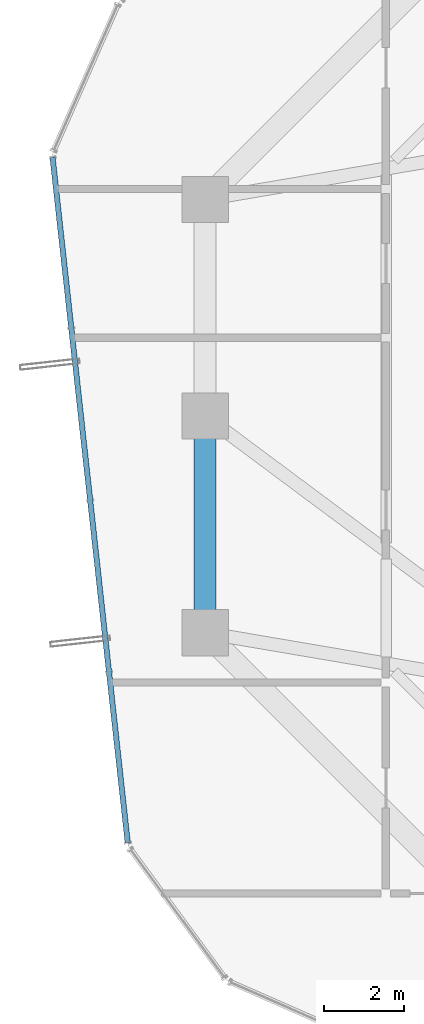
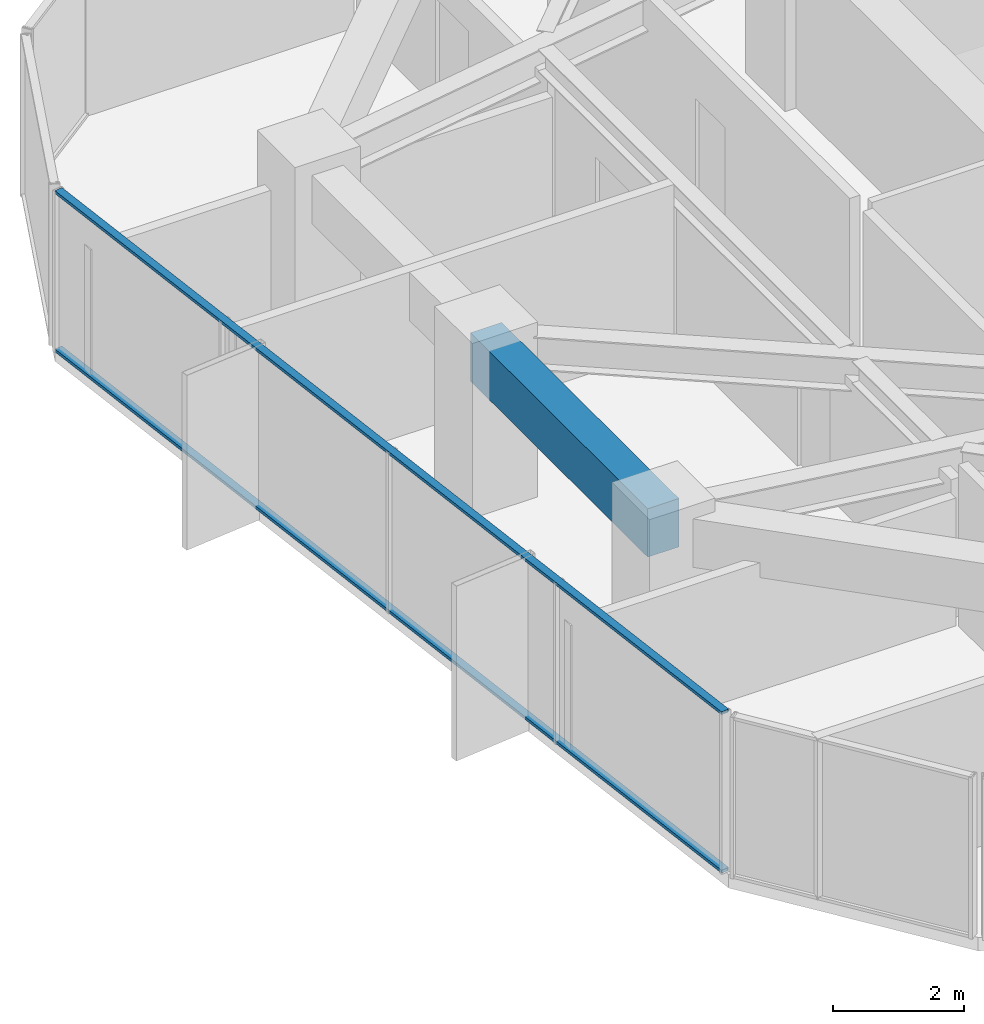
# One storey, part 10 of 34: 2 members, 1 beam, 1 element without a shape of its own.
"""IFC4 building model written with IfcOpenShell, lengths in metres."""

from ifc_helpers import new_model, si_unit, direction, frame, origin, origin_2d, place, context, subcontext, project, spatial, rectangle, hollow_rectangle, extrude, source, transform, mapped, material, layer, layer_set, material_profile, profile_set, type_object, element, aggregate, save


model = new_model("IFC4")

# Units and contexts
model_context = context("Model", 3, precision=1e-05, world=origin(), true_north=direction((0.0, 1.0)))
body_context = subcontext(model_context, "Body", "Model", "MODEL_VIEW")
ifc_project = project(units=[si_unit("LENGTHUNIT", "METRE"), si_unit("AREAUNIT", "SQUARE_METRE"), si_unit("VOLUMEUNIT", "CUBIC_METRE"), si_unit("PLANEANGLEUNIT", "RADIAN"), si_unit("MASSUNIT", "GRAM", prefix="KILO")], contexts=[model_context])

# Site, building, storey
site_placement = place(None, origin())
site = spatial("IfcSite", under=ifc_project, at=site_placement, CompositionType="ELEMENT")
building_placement = place(site_placement, origin())
building = spatial("IfcBuilding", under=site, at=building_placement, Name="Veraguas Prism Commons", CompositionType="ELEMENT")
storey_placement = place(building_placement, frame((0.0, 0.0, 149.0)))
storey = spatial("IfcBuildingStorey", under=building, at=storey_placement, Name="L42", CompositionType="ELEMENT", Elevation=149.0)

# Beam
ifc_material_1 = material(Name="Concrete C50/60", Category="concrete")
ifc_material_profile_1 = material_profile(ifc_material_1, rectangle(XDim=0.550048828125, YDim=0.89990234375, at=origin_2d()), Name="RC550X900")
ifc_profile_set_1 = profile_set([ifc_material_profile_1], Name="Concrete C50/60")
beam_type = type_object("IfcBeamType", Name="Perimeter Spandrel Lower RC 550x900", PredefinedType="SPANDREL", material=ifc_profile_set_1)
beam_placement = place(storey_placement, frame((7.800048828125, 24.0, 2.550048828125), z_axis=(0.0, -1.0, 0.0), x_axis=(1.0, 0.0, 0.0)))
element("IfcBeam", 1, at=beam_placement, inside=storey, type_object=beam_type, Name="Perimeter Spandrel Beam L42-SP08", PredefinedType="SPANDREL", context=body_context, shape_type="SweptSolid", body=[
    extrude(rectangle(XDim=0.550048828125, YDim=0.89990234375, at=origin_2d()), origin(), (0.0, 0.0, 1.0), 5.39990234375),
])

# Curtain wall, members
ifc_material_2 = material(Name="Anodised aluminium EN AW-6063 T6", Category="aluminium")
ifc_layer = layer(ifc_material_2, 0.169921875, Name="Unitised Flush Curtain Wall Zone 2", Category="aluminium")
ifc_layer_set = layer_set([ifc_layer], Name="Anodised aluminium EN AW-6063 T6")
curtain_wall_type = type_object("IfcCurtainWallType", Name="Unitised Flush Curtain Wall Zone 2", PredefinedType="NOTDEFINED", material=ifc_layer_set)
curtain_wall_placement = place(storey_placement, origin())
curtain_wall = element("IfcCurtainWall", 2, at=curtain_wall_placement, inside=storey, type_object=curtain_wall_type, Name="Tower Facade Curtain Wall L42-F3", PredefinedType="NOTDEFINED")
ifc_material_profile_2 = material_profile(ifc_material_2, hollow_rectangle(XDim=0.054931640625, YDim=0.135009765625, WallThickness=0.0029296875, at=origin_2d()), Name="AL55X135X3")
ifc_profile_set_2 = profile_set([ifc_material_profile_2], Name="Anodised aluminium EN AW-6063 T6")
member_type = type_object("IfcMemberType", Name="Curtain Wall Transom Standard AL 55x135x3", PredefinedType="USERDEFINED", material=ifc_profile_set_2)
shared_shape = source(origin(), body_context, "Body", "SweptSolid", [
    extrude(hollow_rectangle(XDim=0.054931640625, YDim=0.135009765625, WallThickness=0.0029296875, at=origin_2d()), origin(), (0.0, 0.0, 1.0), 17.17431640625),
])
member_1_placement = place(storey_placement, frame((3.99560546875, 30.4443359375, 0.027587890625), z_axis=(0.109045942322, -0.994036710823, 0.0), x_axis=(0.0, 0.0, 1.0)))
member_1 = element("IfcMember", 3, at=member_1_placement, type_object=member_type, Name="CW-Z2 Transom 1", ObjectType="TRANSOM", PredefinedType="USERDEFINED", context=body_context, shape_type="MappedRepresentation", body=[
    mapped(shared_shape, transform((0.0, 0.0, 0.0), scale=1.0)),
])
member_2_placement = place(storey_placement, frame((3.99560546875, 30.4443359375, 2.972412109375), z_axis=(0.109045942322, -0.994036710823, 0.0), x_axis=(0.0, 0.0, 1.0)))
member_2 = element("IfcMember", 4, at=member_2_placement, type_object=member_type, Name="CW-Z2 Transom 2", ObjectType="TRANSOM", PredefinedType="USERDEFINED", context=body_context, shape_type="MappedRepresentation", body=[
    mapped(shared_shape, transform((0.0, 0.0, 0.0), scale=1.0)),
])
aggregate(curtain_wall, [member_1, member_2])

save(model, "model.ifc")
